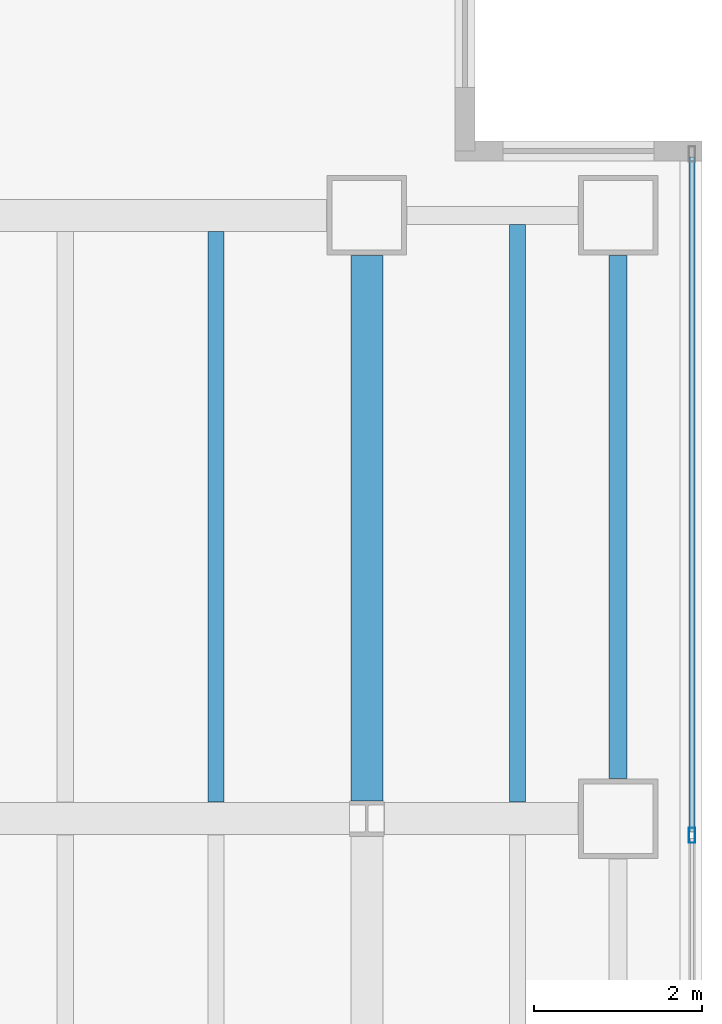
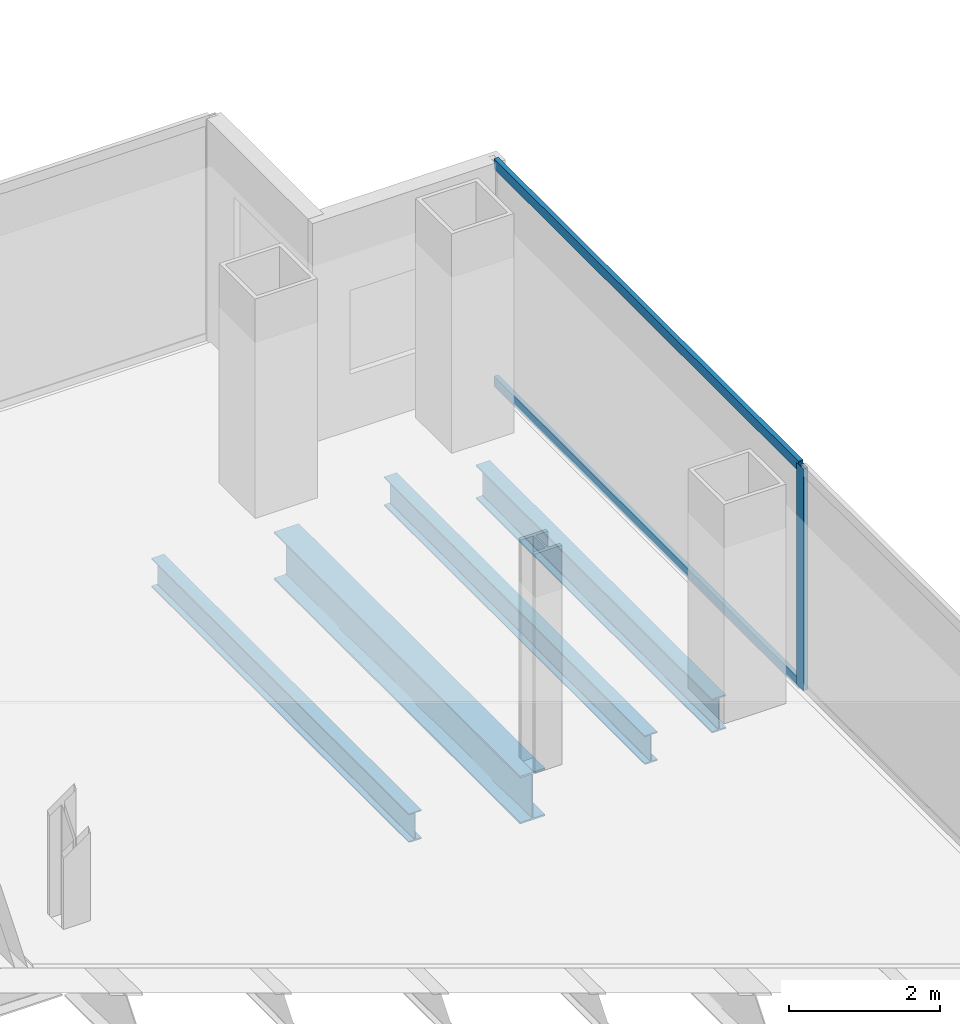
# One storey, part 13 of 24: 4 beams, 3 members, 1 element without a shape of its own.
"""IFC4 building model written with IfcOpenShell, lengths in metres."""

import ifcopenshell
import ifcopenshell.guid

model = None  # the IFC model being written
_history = None  # IfcOwnerHistory: only IFC2X3 demands one
_inside = {}  # id of a spatial element -> (the spatial element, [elements in it])
_under = {}  # id of a project, library or spatial element -> (it, [spatial elements below it])
_declared = {}  # id of a project -> (the project, [libraries it declares])
_typed = {}  # id of a type object -> (the type object, [elements of that type])
_made_of = {}  # id of a material, layer set ... -> (it, [elements and type objects made of it])


def new_model(schema):
    """Start an empty IFC model of exactly this schema.

    Asked for "IFC4X3", IfcOpenShell would pick the latest addendum, in which some entities
    have other attributes; the version numbers below select the first issue.
    IFC2X3 requires an IfcOwnerHistory on every rooted entity: one is made here for all.
    """
    global model, _history
    if schema == "IFC4X3":
        model = ifcopenshell.file(schema_version=(4, 3, 0, 0))
    else:
        model = ifcopenshell.file(schema=schema)
    _inside.clear()
    _under.clear()
    _declared.clear()
    _typed.clear()
    _made_of.clear()
    _history = None
    if model.schema == "IFC2X3":
        org = make("IfcOrganization", Name="unknown")
        user = make(
            "IfcPersonAndOrganization",
            ThePerson=make("IfcPerson", FamilyName="unknown"),
            TheOrganization=org,
        )
        app = make(
            "IfcApplication",
            ApplicationDeveloper=org,
            Version="unknown",
            ApplicationFullName="unknown",
            ApplicationIdentifier="unknown",
        )
        _history = make(
            "IfcOwnerHistory",
            OwningUser=user,
            OwningApplication=app,
            ChangeAction="ADDED",
            CreationDate=0,
        )
    return model


def make(cls, **values):
    """One entity of the class cls with the attributes given. An attribute that is None is left unset."""
    return model.create_entity(
        cls, **{name: value for name, value in values.items() if value is not None}
    )


def rooted(cls, **values):
    """An entity with a GlobalId (a new one), such as an element, a storey or a relation."""
    return make(cls, GlobalId=ifcopenshell.guid.new(), OwnerHistory=_history, **values)


def si_unit(unit_type, name, prefix=None):
    """IfcSIUnit, for example si_unit("LENGTHUNIT", "METRE", prefix="MILLI")."""
    return make("IfcSIUnit", UnitType=unit_type, Prefix=prefix, Name=name)


def assignment(units):
    """IfcUnitAssignment: the units of a project."""
    return None if units is None else make("IfcUnitAssignment", Units=units)


def point(xyz):
    """IfcCartesianPoint."""
    return None if xyz is None else make("IfcCartesianPoint", Coordinates=xyz)


def direction(xyz):
    """IfcDirection."""
    return None if xyz is None else make("IfcDirection", DirectionRatios=xyz)


def frame(location, z_axis=None, x_axis=None):
    """IfcAxis2Placement3D, a coordinate frame: its origin and axes. An axis left out is left unset."""
    return make(
        "IfcAxis2Placement3D",
        Location=point(location),
        Axis=direction(z_axis),
        RefDirection=direction(x_axis),
    )


def frame_2d(location, x_axis=None):
    """IfcAxis2Placement2D, a coordinate frame in the plane: its origin and x axis."""
    return make(
        "IfcAxis2Placement2D", Location=point(location), RefDirection=direction(x_axis)
    )


def origin():
    """The frame at (0, 0, 0) with its axes left unset."""
    return frame((0.0, 0.0, 0.0))


def origin_2d():
    """The frame at (0, 0) in the plane with its x axis left unset."""
    return frame_2d((0.0, 0.0))


def place(relative_to, where):
    """IfcLocalPlacement: puts the frame where relative to a parent placement (None: the world)."""
    return make(
        "IfcLocalPlacement", PlacementRelTo=relative_to, RelativePlacement=where
    )


def context(
    kind, dimensions, precision=None, world=None, true_north=None, identifier=None
):
    """IfcGeometricRepresentationContext, for example the 3D "Model" context."""
    return make(
        "IfcGeometricRepresentationContext",
        ContextIdentifier=identifier,
        ContextType=kind,
        CoordinateSpaceDimension=dimensions,
        Precision=precision,
        WorldCoordinateSystem=world,
        TrueNorth=true_north,
    )


def subcontext(parent, identifier, kind, view, scale=None):
    """IfcGeometricRepresentationSubContext, for example "Body" below "Model"."""
    return make(
        "IfcGeometricRepresentationSubContext",
        ContextIdentifier=identifier,
        ContextType=kind,
        ParentContext=parent,
        TargetScale=scale,
        TargetView=view,
    )


def project(units=None, contexts=None):
    """IfcProject with its units and contexts."""
    return rooted(
        "IfcProject",
        Name="project",
        RepresentationContexts=contexts,
        UnitsInContext=assignment(units),
    )


def spatial(cls, under=None, at=None, **own):
    """A site, building, storey or space (cls), placed at a placement, below another one or the project."""
    s = rooted(cls, ObjectPlacement=at, **own)
    if under is not None:
        _under.setdefault(under.id(), (under, []))[1].append(s)
    return s


def profile(cls, at=None, kind="AREA", **sizes):
    """A parametric profile (cls). Its sizes go by their IFC names, for example OverallWidth=200.0."""
    return make(cls, ProfileType=kind, Position=at, **sizes)


def hollow_rectangle(**sizes):
    """IfcRectangleHollowProfileDef."""
    return profile("IfcRectangleHollowProfileDef", **sizes)


def i_section(**sizes):
    """IfcIShapeProfileDef."""
    return profile("IfcIShapeProfileDef", **sizes)


def extrude(swept, where, along, depth):
    """IfcExtrudedAreaSolid: the profile swept, set in the frame where, extruded along a direction by depth."""
    return make(
        "IfcExtrudedAreaSolid",
        SweptArea=swept,
        Position=where,
        ExtrudedDirection=direction(along),
        Depth=depth,
    )


def shape(context_of_items, identifier, shape_type, items):
    """IfcShapeRepresentation: the items that make up one representation, for example the "Body"."""
    return make(
        "IfcShapeRepresentation",
        ContextOfItems=context_of_items,
        RepresentationIdentifier=identifier,
        RepresentationType=shape_type,
        Items=items,
    )


def material(Name=None, Category=None):
    """IfcMaterial."""
    return make("IfcMaterial", Name=Name, Category=Category)


def material_profile(
    of_material, cross_section, Name=None, Category=None, Priority=None
):
    """IfcMaterialProfile: a cross section and its material."""
    return make(
        "IfcMaterialProfile",
        Name=Name,
        Material=of_material,
        Profile=cross_section,
        Priority=Priority,
        Category=Category,
    )


def profile_set(profiles, Name=None, composite=None):
    """IfcMaterialProfileSet."""
    return make(
        "IfcMaterialProfileSet",
        Name=Name,
        MaterialProfiles=profiles,
        CompositeProfile=composite,
    )


def made_of(thing, what):
    """Note that an element or type object is made of a material, layer set ...; save() writes the relation."""
    if what is not None:
        _made_of.setdefault(what.id(), (what, []))[1].append(thing)
    return thing


def type_object(cls, material=None, **own):
    """A type object (cls), such as IfcWallType, which elements share."""
    return made_of(rooted(cls, **own), material)


def element(
    cls,
    number,
    at=None,
    inside=None,
    cuts=None,
    type_object=None,
    material=None,
    context=None,
    identifier="Body",
    shape_type=None,
    held_by="IfcProductDefinitionShape",
    body=None,
    shapes=None,
    **own,
):
    """One element of the class cls, such as IfcWall. Its Tag is "e" and its number.

    at: its placement. inside: the storey or other place that contains it. cuts: it is an
    opening in that element (IfcRelVoidsElement). A single representation is given by context,
    identifier, shape_type and body (its items); several are given by shapes. held_by: the class
    of the entity that holds the representations. save() writes the other relations.
    """
    e = rooted(cls, Tag="e%d" % number, ObjectPlacement=at, **own)
    if body is not None:
        shapes = [shape(context, identifier, shape_type, body)]
    if shapes is not None:
        e.Representation = make(held_by, Representations=shapes)
    if inside is not None:
        _inside.setdefault(inside.id(), (inside, []))[1].append(e)
    if cuts is not None:
        rooted(
            "IfcRelVoidsElement", RelatingBuildingElement=cuts, RelatedOpeningElement=e
        )
    if type_object is not None:
        _typed.setdefault(type_object.id(), (type_object, []))[1].append(e)
    return made_of(e, material)


def aggregate(whole, parts):
    """IfcRelAggregates: a whole, such as a stair, and the parts it consists of."""
    return rooted("IfcRelAggregates", RelatingObject=whole, RelatedObjects=parts)


def save(model, path):
    """Write the relations noted so far, then the file.

    IfcRelAggregates (storeys below a building ...), IfcRelContainedInSpatialStructure (elements
    in a storey), IfcRelDefinesByType, IfcRelAssociatesMaterial and IfcRelDeclares: one each for
    every whole, place, type object, material and project.
    """
    for whole, parts in _under.values():
        aggregate(whole, parts)
    for where, things in _inside.values():
        rooted(
            "IfcRelContainedInSpatialStructure",
            RelatedElements=things,
            RelatingStructure=where,
        )
    for kind, things in _typed.values():
        rooted("IfcRelDefinesByType", RelatedObjects=things, RelatingType=kind)
    for what, things in _made_of.values():
        rooted("IfcRelAssociatesMaterial", RelatedObjects=things, RelatingMaterial=what)
    for by, libraries in _declared.values():
        rooted("IfcRelDeclares", RelatingContext=by, RelatedDefinitions=libraries)
    model.write(path)


model = new_model("IFC4")

# Units and contexts
model_context = context("Model", 3, precision=1e-05, world=origin(), true_north=direction((0.0, 1.0)))
body_context = subcontext(model_context, "Body", "Model", "MODEL_VIEW")
ifc_project = project(units=[si_unit("LENGTHUNIT", "METRE"), si_unit("AREAUNIT", "SQUARE_METRE"), si_unit("VOLUMEUNIT", "CUBIC_METRE"), si_unit("PLANEANGLEUNIT", "RADIAN"), si_unit("MASSUNIT", "GRAM", prefix="KILO")], contexts=[model_context])

# Site, building, storey
site_placement = place(None, origin())
site = spatial("IfcSite", under=ifc_project, at=site_placement, CompositionType="ELEMENT")
building_placement = place(site_placement, origin())
building = spatial("IfcBuilding", under=site, at=building_placement, Name="Cobrela Telecom Tower", CompositionType="ELEMENT")
storey_placement = place(building_placement, frame((0.0, 0.0, 106.050048828125)))
storey = spatial("IfcBuildingStorey", under=building, at=storey_placement, Name="L26", CompositionType="ELEMENT", Elevation=106.050048828125)

# Beams
ifc_material_1 = material(Name="Steel ASTM A992 Grade 50", Category="steel")
ifc_material_profile_1 = material_profile(ifc_material_1, i_section(OverallWidth=0.381103515625, OverallDepth=0.77197265625, WebThickness=0.0166015625, FlangeThickness=0.027099609375, FilletRadius=0.01904296875, at=origin_2d()), Name="W30X173")
ifc_profile_set_1 = profile_set([ifc_material_profile_1], Name="Steel ASTM A992 Grade 50")
beam_type_1 = type_object("IfcBeamType", Name="BM-GIRD-04", PredefinedType="USERDEFINED", material=ifc_profile_set_1)
beam_1_placement = place(storey_placement, frame((43.199951171875, 14.609619140625, -0.656005859375), z_axis=(0.0, 1.0, 0.0), x_axis=(-1.0, 0.0, 0.0)))
element("IfcBeam", 1, at=beam_1_placement, inside=storey, type_object=beam_type_1, Name="L26 Primary Girder Y54", ObjectType="GIRDER", PredefinedType="USERDEFINED", context=body_context, shape_type="SweptSolid", body=[
    extrude(i_section(OverallWidth=0.381103515625, OverallDepth=0.77197265625, WebThickness=0.0166015625, FlangeThickness=0.027099609375, FilletRadius=0.01904296875, at=origin_2d()), origin(), (0.0, 0.0, 1.0), 6.510498046875),
])
ifc_material_profile_2 = material_profile(ifc_material_1, i_section(OverallWidth=0.193115234375, OverallDepth=0.467041015625, WebThickness=0.011474609375, FlangeThickness=0.01904296875, FilletRadius=0.012939453125, at=origin_2d()), Name="W18X65")
ifc_profile_set_2 = profile_set([ifc_material_profile_2], Name="Steel ASTM A992 Grade 50")
beam_type_2 = type_object("IfcBeamType", Name="BM-JOIST-03", PredefinedType="JOIST", material=ifc_profile_set_2)
beam_2_placement = place(storey_placement, frame((41.39990234375, 14.595458984375, -0.503662109375), z_axis=(0.0, 1.0, 0.0), x_axis=(-1.0, 0.0, 0.0)))
element("IfcBeam", 2, at=beam_2_placement, inside=storey, type_object=beam_type_2, Name="L26 Secondary Composite Floor Beam J38", PredefinedType="JOIST", context=body_context, shape_type="SweptSolid", body=[
    extrude(i_section(OverallWidth=0.193115234375, OverallDepth=0.467041015625, WebThickness=0.011474609375, FlangeThickness=0.01904296875, FilletRadius=0.012939453125, at=origin_2d()), origin(), (0.0, 0.0, 1.0), 6.80908203125),
])
beam_3_placement = place(storey_placement, frame((45.0, 14.595458984375, -0.503662109375), z_axis=(0.0, 1.0, 0.0), x_axis=(-1.0, 0.0, 0.0)))
element("IfcBeam", 3, at=beam_3_placement, inside=storey, type_object=beam_type_2, Name="L26 Secondary Composite Floor Beam J40", PredefinedType="JOIST", context=body_context, shape_type="SweptSolid", body=[
    extrude(i_section(OverallWidth=0.193115234375, OverallDepth=0.467041015625, WebThickness=0.011474609375, FlangeThickness=0.01904296875, FilletRadius=0.012939453125, at=origin_2d()), origin(), (0.0, 0.0, 1.0), 6.89306640625),
])
ifc_material_profile_3 = material_profile(ifc_material_1, i_section(OverallWidth=0.212890625, OverallDepth=0.549072265625, WebThickness=0.0146484375, FlangeThickness=0.023681640625, FilletRadius=0.013916015625, at=origin_2d()), Name="W21X93")
ifc_profile_set_3 = profile_set([ifc_material_profile_3], Name="Steel ASTM A992 Grade 50")
beam_type_3 = type_object("IfcBeamType", Name="BM-SPAND-03", PredefinedType="SPANDREL", material=ifc_profile_set_3)
beam_4_placement = place(storey_placement, frame((46.199951171875, 14.8798828125, -0.54443359375), z_axis=(0.0, 1.0, 0.0), x_axis=(-1.0, 0.0, 0.0)))
element("IfcBeam", 4, at=beam_4_placement, inside=storey, type_object=beam_type_3, Name="L26 Perimeter Spandrel Y56", PredefinedType="SPANDREL", context=body_context, shape_type="SweptSolid", body=[
    extrude(i_section(OverallWidth=0.212890625, OverallDepth=0.549072265625, WebThickness=0.0146484375, FlangeThickness=0.023681640625, FilletRadius=0.013916015625, at=origin_2d()), origin(), (0.0, 0.0, 1.0), 6.240234375),
])

# Curtain wall, members
ifc_material_2 = material(Name="Anodized Bronze Aluminium 6063-T6", Category="aluminium")
curtain_wall_type = type_object("IfcCurtainWallType", Name="CW-SYS-TEL", PredefinedType="USERDEFINED", material=ifc_material_2)
curtain_wall_placement = place(storey_placement, origin())
curtain_wall = element("IfcCurtainWall", 5, at=curtain_wall_placement, inside=storey, type_object=curtain_wall_type, Name="L26 Unitised Bronze Curtain Wall 14", ObjectType="UNITISED CURTAIN WALL", PredefinedType="USERDEFINED")
ifc_material_profile_4 = material_profile(ifc_material_2, hollow_rectangle(XDim=0.074951171875, YDim=0.179931640625, WallThickness=0.00390625, at=origin_2d()), Name="ALU 75x180x4")
ifc_profile_set_4 = profile_set([ifc_material_profile_4], Name="Anodized Bronze Aluminium 6063-T6")
member_type_1 = type_object("IfcMemberType", Name="CW-SYS-TEL-MUL", PredefinedType="MULLION", material=ifc_profile_set_4)
member_1_placement = place(storey_placement, frame((47.080078125, 14.199951171875, 0.0), z_axis=(0.0, 0.0, 1.0), x_axis=(1.0, 0.0, 0.0)))
member_1 = element("IfcMember", 6, at=member_1_placement, type_object=member_type_1, Name="CW-TEL mullion 2", PredefinedType="MULLION", context=body_context, shape_type="SweptSolid", body=[
    extrude(hollow_rectangle(XDim=0.074951171875, YDim=0.179931640625, WallThickness=0.00390625, at=origin_2d()), origin(), (0.0, 0.0, 1.0), 3.579833984375),
])
ifc_material_profile_5 = material_profile(ifc_material_2, hollow_rectangle(XDim=0.070068359375, YDim=0.159912109375, WallThickness=0.00390625, at=origin_2d()), Name="ALU 70x160x4")
ifc_profile_set_5 = profile_set([ifc_material_profile_5], Name="Anodized Bronze Aluminium 6063-T6")
member_type_2 = type_object("IfcMemberType", Name="CW-SYS-TEL-TRN", PredefinedType="USERDEFINED", material=ifc_profile_set_5)
member_2_placement = place(storey_placement, frame((47.080078125, 22.294921875, 0.034912109375), z_axis=(0.0, -1.0, 0.0), x_axis=(1.0, 0.0, 0.0)))
member_2 = element("IfcMember", 7, at=member_2_placement, type_object=member_type_2, Name="CW-TEL transom 1.1", ObjectType="TRANSOM", PredefinedType="USERDEFINED", context=body_context, shape_type="SweptSolid", body=[
    extrude(hollow_rectangle(XDim=0.070068359375, YDim=0.159912109375, WallThickness=0.00390625, at=origin_2d()), origin(), (0.0, 0.0, 1.0), 8.057373046875),
])
member_3_placement = place(storey_placement, frame((47.080078125, 22.294921875, 3.544921875), z_axis=(0.0, -1.0, 0.0), x_axis=(1.0, 0.0, 0.0)))
member_3 = element("IfcMember", 8, at=member_3_placement, type_object=member_type_2, Name="CW-TEL transom 1.2", ObjectType="TRANSOM", PredefinedType="USERDEFINED", context=body_context, shape_type="SweptSolid", body=[
    extrude(hollow_rectangle(XDim=0.070068359375, YDim=0.159912109375, WallThickness=0.00390625, at=origin_2d()), origin(), (0.0, 0.0, 1.0), 8.057373046875),
])
aggregate(curtain_wall, [member_1, member_2, member_3])

save(model, "model.ifc")
